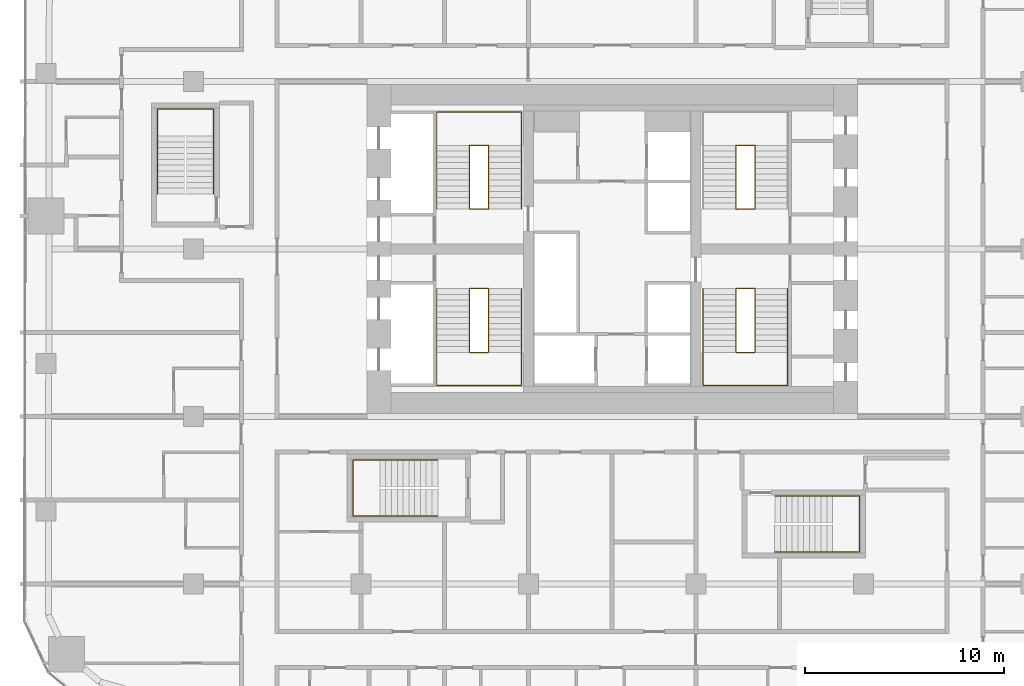
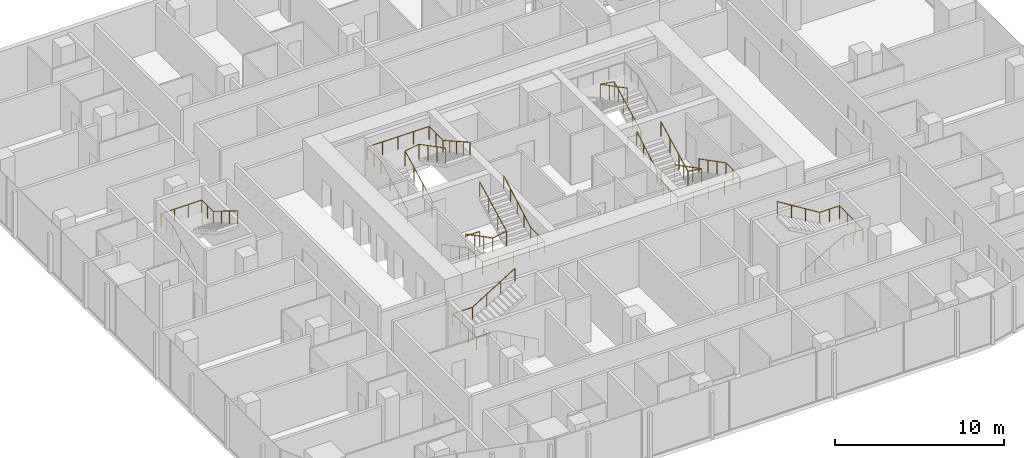
# One storey, part 25 of 26: 10 railings.
"""IFC4 building model written with IfcOpenShell, lengths in metres."""

from ifc_helpers import new_model, si_unit, direction, frame, origin, origin_2d, place, context, subcontext, project, spatial, circle, extrude, material, type_object, element, save


model = new_model("IFC4")

# Units and contexts
model_context = context("Model", 3, precision=1e-05, world=origin(), true_north=direction((0.0, 1.0)))
body_context = subcontext(model_context, "Body", "Model", "MODEL_VIEW")
ifc_project = project(units=[si_unit("LENGTHUNIT", "METRE"), si_unit("AREAUNIT", "SQUARE_METRE"), si_unit("VOLUMEUNIT", "CUBIC_METRE"), si_unit("PLANEANGLEUNIT", "RADIAN"), si_unit("MASSUNIT", "GRAM", prefix="KILO")], contexts=[model_context])

# Site, building, storey
site_placement = place(None, origin())
site = spatial("IfcSite", under=ifc_project, at=site_placement, CompositionType="ELEMENT")
building_placement = place(site_placement, origin())
building = spatial("IfcBuilding", under=site, at=building_placement, Name="Marenta Gate Hotel Tower", CompositionType="ELEMENT")
storey_placement = place(building_placement, frame((0.0, 0.0, 58.10009765625)))
storey = spatial("IfcBuildingStorey", under=building, at=storey_placement, Name="L12", CompositionType="ELEMENT", Elevation=58.10009765625)

# Railings
ifc_material_1 = material(Name="Stainless steel", Category="steel")
railing_type_1 = type_object("IfcRailingType", Name="Core stair handrail 950", PredefinedType="HANDRAIL", material=ifc_material_1)
railing_1_placement = place(storey_placement, frame((-8.800048828125, 6.39990234375, 0.14990234375)))
element("IfcRailing", 1, at=railing_1_placement, inside=storey, type_object=railing_type_1, Name="HR-950 L12-KR-ST1-1", PredefinedType="HANDRAIL", context=body_context, shape_type="SweptSolid", body=[
    extrude(circle(Radius=0.02392578125, at=origin_2d()), frame((0.0, 0.0, 0.92578125), z_axis=(0.0, -0.888225295554, 0.459408123936), x_axis=(1.0, 0.0, 0.0)), (0.0, 0.0, 1.0), 3.59130859375),
    extrude(circle(Radius=0.02392578125, at=origin_2d()), frame((0.0, -3.18994140625, 2.57568359375), z_axis=(0.0, -1.0, 0.0), x_axis=(1.0, 0.0, 0.0)), (0.0, 0.0, 1.0), 1.659912109375),
    extrude(circle(Radius=0.02392578125, at=origin_2d()), frame((0.0, -4.849853515625, 2.57568359375), z_axis=(1.0, 0.0, 0.0), x_axis=(0.0, 1.0, 0.0)), (0.0, 0.0, 1.0), 4.25),
    extrude(circle(Radius=0.02392578125, at=origin_2d()), frame((4.25, -4.849853515625, 2.57568359375), z_axis=(0.0, 1.0, 0.0), x_axis=(-1.0, 0.0, 0.0)), (0.0, 0.0, 1.0), 1.659912109375),
    extrude(circle(Radius=0.02392578125, at=origin_2d()), frame((4.25, -3.18994140625, 2.57568359375), z_axis=(0.0, 0.87090897868, 0.491444351738), x_axis=(-1.0, 0.0, 0.0)), (0.0, 0.0, 1.0), 3.662841796875),
    extrude(circle(Radius=0.02099609375, at=origin_2d()), origin(), (0.0, 0.0, 1.0), 0.90185546875),
    extrude(circle(Radius=0.02099609375, at=origin_2d()), frame((0.0, -1.063232421875, 0.550048828125)), (0.0, 0.0, 1.0), 0.90185546875),
    extrude(circle(Radius=0.02099609375, at=origin_2d()), frame((0.0, -2.126708984375, 1.099853515625)), (0.0, 0.0, 1.0), 0.90185546875),
    extrude(circle(Radius=0.02099609375, at=origin_2d()), frame((0.0, -3.18994140625, 1.64990234375)), (0.0, 0.0, 1.0), 0.90185546875),
    extrude(circle(Radius=0.02099609375, at=origin_2d()), frame((0.0, -4.02001953125, 1.64990234375)), (0.0, 0.0, 1.0), 0.90185546875),
    extrude(circle(Radius=0.02099609375, at=origin_2d()), frame((0.0, -4.849853515625, 1.64990234375)), (0.0, 0.0, 1.0), 0.90185546875),
    extrude(circle(Radius=0.02099609375, at=origin_2d()), frame((1.0625, -4.849853515625, 1.64990234375)), (0.0, 0.0, 1.0), 0.90185546875),
    extrude(circle(Radius=0.02099609375, at=origin_2d()), frame((2.125, -4.849853515625, 1.64990234375)), (0.0, 0.0, 1.0), 0.90185546875),
    extrude(circle(Radius=0.02099609375, at=origin_2d()), frame((3.1875, -4.849853515625, 1.64990234375)), (0.0, 0.0, 1.0), 0.90185546875),
    extrude(circle(Radius=0.02099609375, at=origin_2d()), frame((4.25, -4.849853515625, 1.64990234375)), (0.0, 0.0, 1.0), 0.90185546875),
    extrude(circle(Radius=0.02099609375, at=origin_2d()), frame((4.25, -4.02001953125, 1.64990234375)), (0.0, 0.0, 1.0), 0.90185546875),
    extrude(circle(Radius=0.02099609375, at=origin_2d()), frame((4.25, -3.18994140625, 1.64990234375)), (0.0, 0.0, 1.0), 0.90185546875),
    extrude(circle(Radius=0.02099609375, at=origin_2d()), frame((4.25, -2.392578125, 2.099853515625)), (0.0, 0.0, 1.0), 0.90185546875),
    extrude(circle(Radius=0.02099609375, at=origin_2d()), frame((4.25, -1.594970703125, 2.5498046875)), (0.0, 0.0, 1.0), 0.90185546875),
    extrude(circle(Radius=0.02099609375, at=origin_2d()), frame((4.25, -0.79736328125, 3.0)), (0.0, 0.0, 1.0), 0.90185546875),
    extrude(circle(Radius=0.02099609375, at=origin_2d()), frame((4.25, 0.0, 3.449951171875)), (0.0, 0.0, 1.0), 0.90185546875),
])
railing_2_placement = place(storey_placement, frame((-8.800048828125, 10.39990234375, 0.14990234375)))
element("IfcRailing", 2, at=railing_2_placement, inside=storey, type_object=railing_type_1, Name="HR-950 L12-KR-ST2-1", PredefinedType="HANDRAIL", context=body_context, shape_type="SweptSolid", body=[
    extrude(circle(Radius=0.02392578125, at=origin_2d()), frame((0.0, 0.0, 0.92578125), z_axis=(0.0, 0.888239641807, 0.459380385653), x_axis=(-1.0, 0.0, 0.0)), (0.0, 0.0, 1.0), 3.591552734375),
    extrude(circle(Radius=0.02392578125, at=origin_2d()), frame((0.0, 3.190185546875, 2.57568359375), z_axis=(0.0, 1.0, 0.0), x_axis=(-1.0, 0.0, 0.0)), (0.0, 0.0, 1.0), 1.659912109375),
    extrude(circle(Radius=0.02392578125, at=origin_2d()), frame((0.0, 4.85009765625, 2.57568359375), z_axis=(1.0, 0.0, 0.0), x_axis=(0.0, 1.0, 0.0)), (0.0, 0.0, 1.0), 4.25),
    extrude(circle(Radius=0.02392578125, at=origin_2d()), frame((4.25, 4.85009765625, 2.57568359375), z_axis=(0.0, -1.0, 0.0), x_axis=(1.0, 0.0, 0.0)), (0.0, 0.0, 1.0), 1.659912109375),
    extrude(circle(Radius=0.02392578125, at=origin_2d()), frame((4.25, 3.190185546875, 2.57568359375), z_axis=(0.0, -0.870925075533, 0.491415824742), x_axis=(1.0, 0.0, 0.0)), (0.0, 0.0, 1.0), 3.6630859375),
    extrude(circle(Radius=0.02099609375, at=origin_2d()), origin(), (0.0, 0.0, 1.0), 0.90185546875),
    extrude(circle(Radius=0.02099609375, at=origin_2d()), frame((0.0, 1.0634765625, 0.550048828125)), (0.0, 0.0, 1.0), 0.90185546875),
    extrude(circle(Radius=0.02099609375, at=origin_2d()), frame((0.0, 2.126708984375, 1.099853515625)), (0.0, 0.0, 1.0), 0.90185546875),
    extrude(circle(Radius=0.02099609375, at=origin_2d()), frame((0.0, 3.190185546875, 1.64990234375)), (0.0, 0.0, 1.0), 0.90185546875),
    extrude(circle(Radius=0.02099609375, at=origin_2d()), frame((0.0, 4.02001953125, 1.64990234375)), (0.0, 0.0, 1.0), 0.90185546875),
    extrude(circle(Radius=0.02099609375, at=origin_2d()), frame((0.0, 4.85009765625, 1.64990234375)), (0.0, 0.0, 1.0), 0.90185546875),
    extrude(circle(Radius=0.02099609375, at=origin_2d()), frame((1.0625, 4.85009765625, 1.64990234375)), (0.0, 0.0, 1.0), 0.90185546875),
    extrude(circle(Radius=0.02099609375, at=origin_2d()), frame((2.125, 4.85009765625, 1.64990234375)), (0.0, 0.0, 1.0), 0.90185546875),
    extrude(circle(Radius=0.02099609375, at=origin_2d()), frame((3.1875, 4.85009765625, 1.64990234375)), (0.0, 0.0, 1.0), 0.90185546875),
    extrude(circle(Radius=0.02099609375, at=origin_2d()), frame((4.25, 4.85009765625, 1.64990234375)), (0.0, 0.0, 1.0), 0.90185546875),
    extrude(circle(Radius=0.02099609375, at=origin_2d()), frame((4.25, 4.02001953125, 1.64990234375)), (0.0, 0.0, 1.0), 0.90185546875),
    extrude(circle(Radius=0.02099609375, at=origin_2d()), frame((4.25, 3.190185546875, 1.64990234375)), (0.0, 0.0, 1.0), 0.90185546875),
    extrude(circle(Radius=0.02099609375, at=origin_2d()), frame((4.25, 2.392578125, 2.099853515625)), (0.0, 0.0, 1.0), 0.90185546875),
    extrude(circle(Radius=0.02099609375, at=origin_2d()), frame((4.25, 1.59521484375, 2.5498046875)), (0.0, 0.0, 1.0), 0.90185546875),
    extrude(circle(Radius=0.02099609375, at=origin_2d()), frame((4.25, 0.797607421875, 3.0)), (0.0, 0.0, 1.0), 0.90185546875),
    extrude(circle(Radius=0.02099609375, at=origin_2d()), frame((4.25, 0.0, 3.449951171875)), (0.0, 0.0, 1.0), 0.90185546875),
])
railing_3_placement = place(storey_placement, frame((8.800048828125, 6.39990234375, 0.14990234375)))
element("IfcRailing", 3, at=railing_3_placement, inside=storey, type_object=railing_type_1, Name="HR-950 L12-KR-ST3-1", PredefinedType="HANDRAIL", context=body_context, shape_type="SweptSolid", body=[
    extrude(circle(Radius=0.02392578125, at=origin_2d()), frame((0.0, 0.0, 0.92578125), z_axis=(0.0, -0.888225295554, 0.459408123936), x_axis=(1.0, 0.0, 0.0)), (0.0, 0.0, 1.0), 3.59130859375),
    extrude(circle(Radius=0.02392578125, at=origin_2d()), frame((0.0, -3.18994140625, 2.57568359375), z_axis=(0.0, -1.0, 0.0), x_axis=(1.0, 0.0, 0.0)), (0.0, 0.0, 1.0), 1.659912109375),
    extrude(circle(Radius=0.02392578125, at=origin_2d()), frame((0.0, -4.849853515625, 2.57568359375), z_axis=(-1.0, 0.0, 0.0), x_axis=(0.0, -1.0, 0.0)), (0.0, 0.0, 1.0), 4.25),
    extrude(circle(Radius=0.02392578125, at=origin_2d()), frame((-4.25, -4.849853515625, 2.57568359375), z_axis=(0.0, 1.0, 0.0), x_axis=(-1.0, 0.0, 0.0)), (0.0, 0.0, 1.0), 1.659912109375),
    extrude(circle(Radius=0.02392578125, at=origin_2d()), frame((-4.25, -3.18994140625, 2.57568359375), z_axis=(0.0, 0.87090897868, 0.491444351738), x_axis=(-1.0, 0.0, 0.0)), (0.0, 0.0, 1.0), 3.662841796875),
    extrude(circle(Radius=0.02099609375, at=origin_2d()), origin(), (0.0, 0.0, 1.0), 0.90185546875),
    extrude(circle(Radius=0.02099609375, at=origin_2d()), frame((0.0, -1.063232421875, 0.550048828125)), (0.0, 0.0, 1.0), 0.90185546875),
    extrude(circle(Radius=0.02099609375, at=origin_2d()), frame((0.0, -2.126708984375, 1.099853515625)), (0.0, 0.0, 1.0), 0.90185546875),
    extrude(circle(Radius=0.02099609375, at=origin_2d()), frame((0.0, -3.18994140625, 1.64990234375)), (0.0, 0.0, 1.0), 0.90185546875),
    extrude(circle(Radius=0.02099609375, at=origin_2d()), frame((0.0, -4.02001953125, 1.64990234375)), (0.0, 0.0, 1.0), 0.90185546875),
    extrude(circle(Radius=0.02099609375, at=origin_2d()), frame((0.0, -4.849853515625, 1.64990234375)), (0.0, 0.0, 1.0), 0.90185546875),
    extrude(circle(Radius=0.02099609375, at=origin_2d()), frame((-1.0625, -4.849853515625, 1.64990234375)), (0.0, 0.0, 1.0), 0.90185546875),
    extrude(circle(Radius=0.02099609375, at=origin_2d()), frame((-2.125, -4.849853515625, 1.64990234375)), (0.0, 0.0, 1.0), 0.90185546875),
    extrude(circle(Radius=0.02099609375, at=origin_2d()), frame((-3.1875, -4.849853515625, 1.64990234375)), (0.0, 0.0, 1.0), 0.90185546875),
    extrude(circle(Radius=0.02099609375, at=origin_2d()), frame((-4.25, -4.849853515625, 1.64990234375)), (0.0, 0.0, 1.0), 0.90185546875),
    extrude(circle(Radius=0.02099609375, at=origin_2d()), frame((-4.25, -4.02001953125, 1.64990234375)), (0.0, 0.0, 1.0), 0.90185546875),
    extrude(circle(Radius=0.02099609375, at=origin_2d()), frame((-4.25, -3.18994140625, 1.64990234375)), (0.0, 0.0, 1.0), 0.90185546875),
    extrude(circle(Radius=0.02099609375, at=origin_2d()), frame((-4.25, -2.392578125, 2.099853515625)), (0.0, 0.0, 1.0), 0.90185546875),
    extrude(circle(Radius=0.02099609375, at=origin_2d()), frame((-4.25, -1.594970703125, 2.5498046875)), (0.0, 0.0, 1.0), 0.90185546875),
    extrude(circle(Radius=0.02099609375, at=origin_2d()), frame((-4.25, -0.79736328125, 3.0)), (0.0, 0.0, 1.0), 0.90185546875),
    extrude(circle(Radius=0.02099609375, at=origin_2d()), frame((-4.25, 0.0, 3.449951171875)), (0.0, 0.0, 1.0), 0.90185546875),
])
railing_4_placement = place(storey_placement, frame((8.14990234375, -6.800048828125, 0.16357421875)))
element("IfcRailing", 4, at=railing_4_placement, inside=storey, type_object=railing_type_1, Name="HR-950 L12-RS-Z1-1-KR-1", PredefinedType="HANDRAIL", context=body_context, shape_type="SweptSolid", body=[
    extrude(circle(Radius=0.02392578125, at=origin_2d()), frame((0.0, 0.0, 0.92578125), z_axis=(0.870946286338, 0.0, 0.49137823142), x_axis=(0.0, 1.0, 0.0)), (0.0, 0.0, 1.0), 3.329833984375),
    extrude(circle(Radius=0.02392578125, at=origin_2d()), frame((2.900146484375, 0.0, 2.56201171875), z_axis=(1.0, 0.0, 0.0), x_axis=(0.0, 1.0, 0.0)), (0.0, 0.0, 1.0), 1.349853515625),
    extrude(circle(Radius=0.02392578125, at=origin_2d()), frame((4.25, 0.0, 2.56201171875), z_axis=(0.0, 1.0, 0.0), x_axis=(-1.0, 0.0, 0.0)), (0.0, 0.0, 1.0), 2.800048828125),
    extrude(circle(Radius=0.02392578125, at=origin_2d()), frame((4.25, 2.800048828125, 2.56201171875), z_axis=(-1.0, 0.0, 0.0), x_axis=(0.0, -1.0, 0.0)), (0.0, 0.0, 1.0), 1.349853515625),
    extrude(circle(Radius=0.02392578125, at=origin_2d()), frame((2.900146484375, 2.800048828125, 2.56201171875), z_axis=(-0.849645691689, 0.0, 0.527353959494), x_axis=(0.0, -1.0, 0.0)), (0.0, 0.0, 1.0), 3.413330078125),
    extrude(circle(Radius=0.02099609375, at=origin_2d()), origin(), (0.0, 0.0, 1.0), 0.90185546875),
    extrude(circle(Radius=0.02099609375, at=origin_2d()), frame((0.966796875, 0.0, 0.54541015625)), (0.0, 0.0, 1.0), 0.90185546875),
    extrude(circle(Radius=0.02099609375, at=origin_2d()), frame((1.933349609375, 0.0, 1.0908203125)), (0.0, 0.0, 1.0), 0.90185546875),
    extrude(circle(Radius=0.02099609375, at=origin_2d()), frame((2.900146484375, 0.0, 1.63623046875)), (0.0, 0.0, 1.0), 0.90185546875),
    extrude(circle(Radius=0.02099609375, at=origin_2d()), frame((3.5751953125, 0.0, 1.63623046875)), (0.0, 0.0, 1.0), 0.90185546875),
    extrude(circle(Radius=0.02099609375, at=origin_2d()), frame((4.25, 0.0, 1.63623046875)), (0.0, 0.0, 1.0), 0.90185546875),
    extrude(circle(Radius=0.02099609375, at=origin_2d()), frame((4.25, 0.933349609375, 1.63623046875)), (0.0, 0.0, 1.0), 0.90185546875),
    extrude(circle(Radius=0.02099609375, at=origin_2d()), frame((4.25, 1.86669921875, 1.63623046875)), (0.0, 0.0, 1.0), 0.90185546875),
    extrude(circle(Radius=0.02099609375, at=origin_2d()), frame((4.25, 2.800048828125, 1.63623046875)), (0.0, 0.0, 1.0), 0.90185546875),
    extrude(circle(Radius=0.02099609375, at=origin_2d()), frame((3.5751953125, 2.800048828125, 1.63623046875)), (0.0, 0.0, 1.0), 0.90185546875),
    extrude(circle(Radius=0.02099609375, at=origin_2d()), frame((2.900146484375, 2.800048828125, 1.63623046875)), (0.0, 0.0, 1.0), 0.90185546875),
    extrude(circle(Radius=0.02099609375, at=origin_2d()), frame((1.933349609375, 2.800048828125, 2.236328125)), (0.0, 0.0, 1.0), 0.90185546875),
    extrude(circle(Radius=0.02099609375, at=origin_2d()), frame((0.966796875, 2.800048828125, 2.836181640625)), (0.0, 0.0, 1.0), 0.90185546875),
    extrude(circle(Radius=0.02099609375, at=origin_2d()), frame((0.0, 2.800048828125, 3.436279296875)), (0.0, 0.0, 1.0), 0.90185546875),
])
railing_5_placement = place(storey_placement, frame((-8.75, -5.0, 0.16357421875)))
element("IfcRailing", 5, at=railing_5_placement, inside=storey, type_object=railing_type_1, Name="HR-950 L12-RS-Z1-2-KR-1", PredefinedType="HANDRAIL", context=body_context, shape_type="SweptSolid", body=[
    extrude(circle(Radius=0.02392578125, at=origin_2d()), frame((0.0, 0.0, 0.92578125), z_axis=(-0.870928581787, 0.0, 0.491409610636), x_axis=(0.0, -1.0, 0.0)), (0.0, 0.0, 1.0), 3.32958984375),
    extrude(circle(Radius=0.02392578125, at=origin_2d()), frame((-2.89990234375, 0.0, 2.56201171875), z_axis=(-1.0, 0.0, 0.0), x_axis=(0.0, -1.0, 0.0)), (0.0, 0.0, 1.0), 1.35009765625),
    extrude(circle(Radius=0.02392578125, at=origin_2d()), frame((-4.25, 0.0, 2.56201171875), z_axis=(0.0, 1.0, 0.0), x_axis=(-1.0, 0.0, 0.0)), (0.0, 0.0, 1.0), 2.800048828125),
    extrude(circle(Radius=0.02392578125, at=origin_2d()), frame((-4.25, 2.800048828125, 2.56201171875), z_axis=(1.0, 0.0, 0.0), x_axis=(0.0, 1.0, 0.0)), (0.0, 0.0, 1.0), 1.35009765625),
    extrude(circle(Radius=0.02392578125, at=origin_2d()), frame((-2.89990234375, 2.800048828125, 2.56201171875), z_axis=(0.849625798611, 0.0, 0.527386008853), x_axis=(0.0, 1.0, 0.0)), (0.0, 0.0, 1.0), 3.4130859375),
    extrude(circle(Radius=0.02099609375, at=origin_2d()), origin(), (0.0, 0.0, 1.0), 0.90185546875),
    extrude(circle(Radius=0.02099609375, at=origin_2d()), frame((-0.966552734375, 0.0, 0.54541015625)), (0.0, 0.0, 1.0), 0.90185546875),
    extrude(circle(Radius=0.02099609375, at=origin_2d()), frame((-1.933349609375, 0.0, 1.0908203125)), (0.0, 0.0, 1.0), 0.90185546875),
    extrude(circle(Radius=0.02099609375, at=origin_2d()), frame((-2.89990234375, 0.0, 1.63623046875)), (0.0, 0.0, 1.0), 0.90185546875),
    extrude(circle(Radius=0.02099609375, at=origin_2d()), frame((-3.574951171875, 0.0, 1.63623046875)), (0.0, 0.0, 1.0), 0.90185546875),
    extrude(circle(Radius=0.02099609375, at=origin_2d()), frame((-4.25, 0.0, 1.63623046875)), (0.0, 0.0, 1.0), 0.90185546875),
    extrude(circle(Radius=0.02099609375, at=origin_2d()), frame((-4.25, 0.933349609375, 1.63623046875)), (0.0, 0.0, 1.0), 0.90185546875),
    extrude(circle(Radius=0.02099609375, at=origin_2d()), frame((-4.25, 1.86669921875, 1.63623046875)), (0.0, 0.0, 1.0), 0.90185546875),
    extrude(circle(Radius=0.02099609375, at=origin_2d()), frame((-4.25, 2.800048828125, 1.63623046875)), (0.0, 0.0, 1.0), 0.90185546875),
    extrude(circle(Radius=0.02099609375, at=origin_2d()), frame((-3.574951171875, 2.800048828125, 1.63623046875)), (0.0, 0.0, 1.0), 0.90185546875),
    extrude(circle(Radius=0.02099609375, at=origin_2d()), frame((-2.89990234375, 2.800048828125, 1.63623046875)), (0.0, 0.0, 1.0), 0.90185546875),
    extrude(circle(Radius=0.02099609375, at=origin_2d()), frame((-1.933349609375, 2.800048828125, 2.236328125)), (0.0, 0.0, 1.0), 0.90185546875),
    extrude(circle(Radius=0.02099609375, at=origin_2d()), frame((-0.966552734375, 2.800048828125, 2.836181640625)), (0.0, 0.0, 1.0), 0.90185546875),
    extrude(circle(Radius=0.02099609375, at=origin_2d()), frame((0.0, 2.800048828125, 3.436279296875)), (0.0, 0.0, 1.0), 0.90185546875),
])
railing_6_placement = place(storey_placement, frame((-22.800048828125, 11.14990234375, 0.16357421875)))
element("IfcRailing", 6, at=railing_6_placement, inside=storey, type_object=railing_type_1, Name="HR-950 L12-RS-Z1-3-KR-1", PredefinedType="HANDRAIL", context=body_context, shape_type="SweptSolid", body=[
    extrude(circle(Radius=0.02392578125, at=origin_2d()), frame((0.0, 0.0, 0.92578125), z_axis=(0.0, 0.870946286338, 0.49137823142), x_axis=(-1.0, 0.0, 0.0)), (0.0, 0.0, 1.0), 3.329833984375),
    extrude(circle(Radius=0.02392578125, at=origin_2d()), frame((0.0, 2.900146484375, 2.56201171875), z_axis=(0.0, 1.0, 0.0), x_axis=(-1.0, 0.0, 0.0)), (0.0, 0.0, 1.0), 1.349853515625),
    extrude(circle(Radius=0.02392578125, at=origin_2d()), frame((0.0, 4.25, 2.56201171875), z_axis=(1.0, 0.0, 0.0), x_axis=(0.0, 1.0, 0.0)), (0.0, 0.0, 1.0), 2.800048828125),
    extrude(circle(Radius=0.02392578125, at=origin_2d()), frame((2.800048828125, 4.25, 2.56201171875), z_axis=(0.0, -1.0, 0.0), x_axis=(1.0, 0.0, 0.0)), (0.0, 0.0, 1.0), 1.349853515625),
    extrude(circle(Radius=0.02392578125, at=origin_2d()), frame((2.800048828125, 2.900146484375, 2.56201171875), z_axis=(0.0, -0.849645691689, 0.527353959494), x_axis=(1.0, 0.0, 0.0)), (0.0, 0.0, 1.0), 3.413330078125),
    extrude(circle(Radius=0.02099609375, at=origin_2d()), origin(), (0.0, 0.0, 1.0), 0.90185546875),
    extrude(circle(Radius=0.02099609375, at=origin_2d()), frame((0.0, 0.966796875, 0.54541015625)), (0.0, 0.0, 1.0), 0.90185546875),
    extrude(circle(Radius=0.02099609375, at=origin_2d()), frame((0.0, 1.933349609375, 1.0908203125)), (0.0, 0.0, 1.0), 0.90185546875),
    extrude(circle(Radius=0.02099609375, at=origin_2d()), frame((0.0, 2.900146484375, 1.63623046875)), (0.0, 0.0, 1.0), 0.90185546875),
    extrude(circle(Radius=0.02099609375, at=origin_2d()), frame((0.0, 3.5751953125, 1.63623046875)), (0.0, 0.0, 1.0), 0.90185546875),
    extrude(circle(Radius=0.02099609375, at=origin_2d()), frame((0.0, 4.25, 1.63623046875)), (0.0, 0.0, 1.0), 0.90185546875),
    extrude(circle(Radius=0.02099609375, at=origin_2d()), frame((0.933349609375, 4.25, 1.63623046875)), (0.0, 0.0, 1.0), 0.90185546875),
    extrude(circle(Radius=0.02099609375, at=origin_2d()), frame((1.86669921875, 4.25, 1.63623046875)), (0.0, 0.0, 1.0), 0.90185546875),
    extrude(circle(Radius=0.02099609375, at=origin_2d()), frame((2.800048828125, 4.25, 1.63623046875)), (0.0, 0.0, 1.0), 0.90185546875),
    extrude(circle(Radius=0.02099609375, at=origin_2d()), frame((2.800048828125, 3.5751953125, 1.63623046875)), (0.0, 0.0, 1.0), 0.90185546875),
    extrude(circle(Radius=0.02099609375, at=origin_2d()), frame((2.800048828125, 2.900146484375, 1.63623046875)), (0.0, 0.0, 1.0), 0.90185546875),
    extrude(circle(Radius=0.02099609375, at=origin_2d()), frame((2.800048828125, 1.933349609375, 2.236328125)), (0.0, 0.0, 1.0), 0.90185546875),
    extrude(circle(Radius=0.02099609375, at=origin_2d()), frame((2.800048828125, 0.966796875, 2.836181640625)), (0.0, 0.0, 1.0), 0.90185546875),
    extrude(circle(Radius=0.02099609375, at=origin_2d()), frame((2.800048828125, 0.0, 3.436279296875)), (0.0, 0.0, 1.0), 0.90185546875),
])
ifc_material_2 = material(Name="Stainless steel", Category="steel")
railing_type_2 = type_object("IfcRailingType", Name="Core stair well guard 1100", PredefinedType="GUARDRAIL", material=ifc_material_2)
railing_7_placement = place(storey_placement, frame((-6.199951171875, 6.39990234375, 0.0)))
element("IfcRailing", 7, at=railing_7_placement, inside=storey, type_object=railing_type_2, Name="GR-1100 L12-KR-ST1-2", PredefinedType="GUARDRAIL", context=body_context, shape_type="SweptSolid", body=[
    extrude(circle(Radius=0.02392578125, at=origin_2d()), frame((0.0, 0.0, 1.076171875), z_axis=(-1.0, 0.0, 0.0), x_axis=(0.0, -1.0, 0.0)), (0.0, 0.0, 1.0), 0.949951171875),
    extrude(circle(Radius=0.02392578125, at=origin_2d()), frame((-0.949951171875, 0.0, 1.076171875), z_axis=(0.0, 0.0, 1.0), x_axis=(1.0, 0.0, 0.0)), (0.0, 0.0, 1.0), 0.14990234375),
    extrude(circle(Radius=0.02392578125, at=origin_2d()), frame((-0.949951171875, 0.0, 1.22607421875), z_axis=(0.0, -0.888225295554, 0.459408123936), x_axis=(1.0, 0.0, 0.0)), (0.0, 0.0, 1.0), 3.59130859375),
    extrude(circle(Radius=0.02392578125, at=origin_2d()), frame((-0.949951171875, -3.18994140625, 2.8759765625), z_axis=(0.987738253826, 0.0, 0.156118999255), x_axis=(0.0, 1.0, 0.0)), (0.0, 0.0, 1.0), 0.961669921875),
    extrude(circle(Radius=0.02392578125, at=origin_2d()), frame((0.0, -3.18994140625, 3.02587890625), z_axis=(0.0, 0.888225295554, 0.459408123936), x_axis=(-1.0, 0.0, 0.0)), (0.0, 0.0, 1.0), 3.59130859375),
    extrude(circle(Radius=0.02099609375, at=origin_2d()), origin(), (0.0, 0.0, 1.0), 1.052001953125),
    extrude(circle(Radius=0.02099609375, at=origin_2d()), frame((-0.949951171875, 0.0, 0.0)), (0.0, 0.0, 1.0), 1.052001953125),
    extrude(circle(Radius=0.02099609375, at=origin_2d()), frame((-0.949951171875, 0.0, 0.14990234375)), (0.0, 0.0, 1.0), 1.052001953125),
    extrude(circle(Radius=0.02099609375, at=origin_2d()), frame((-0.949951171875, -1.063232421875, 0.699951171875)), (0.0, 0.0, 1.0), 1.052001953125),
    extrude(circle(Radius=0.02099609375, at=origin_2d()), frame((-0.949951171875, -2.126708984375, 1.249755859375)), (0.0, 0.0, 1.0), 1.052001953125),
    extrude(circle(Radius=0.02099609375, at=origin_2d()), frame((-0.949951171875, -3.18994140625, 1.7998046875)), (0.0, 0.0, 1.0), 1.052001953125),
    extrude(circle(Radius=0.02099609375, at=origin_2d()), frame((0.0, -3.18994140625, 1.949951171875)), (0.0, 0.0, 1.0), 1.052001953125),
    extrude(circle(Radius=0.02099609375, at=origin_2d()), frame((0.0, -2.126708984375, 2.5)), (0.0, 0.0, 1.0), 1.052001953125),
    extrude(circle(Radius=0.02099609375, at=origin_2d()), frame((0.0, -1.063232421875, 3.0498046875)), (0.0, 0.0, 1.0), 1.052001953125),
    extrude(circle(Radius=0.02099609375, at=origin_2d()), frame((0.0, 0.0, 3.599853515625)), (0.0, 0.0, 1.0), 1.052001953125),
])
railing_8_placement = place(storey_placement, frame((-6.199951171875, 10.39990234375, 0.0)))
element("IfcRailing", 8, at=railing_8_placement, inside=storey, type_object=railing_type_2, Name="GR-1100 L12-KR-ST2-2", PredefinedType="GUARDRAIL", context=body_context, shape_type="SweptSolid", body=[
    extrude(circle(Radius=0.02392578125, at=origin_2d()), frame((0.0, 0.0, 1.076171875), z_axis=(-1.0, 0.0, 0.0), x_axis=(0.0, -1.0, 0.0)), (0.0, 0.0, 1.0), 0.949951171875),
    extrude(circle(Radius=0.02392578125, at=origin_2d()), frame((-0.949951171875, 0.0, 1.076171875), z_axis=(0.0, 0.0, 1.0), x_axis=(1.0, 0.0, 0.0)), (0.0, 0.0, 1.0), 0.14990234375),
    extrude(circle(Radius=0.02392578125, at=origin_2d()), frame((-0.949951171875, 0.0, 1.22607421875), z_axis=(0.0, 0.888239641807, 0.459380385653), x_axis=(-1.0, 0.0, 0.0)), (0.0, 0.0, 1.0), 3.591552734375),
    extrude(circle(Radius=0.02392578125, at=origin_2d()), frame((-0.949951171875, 3.190185546875, 2.8759765625), z_axis=(0.987738253826, 0.0, 0.156118999255), x_axis=(0.0, 1.0, 0.0)), (0.0, 0.0, 1.0), 0.961669921875),
    extrude(circle(Radius=0.02392578125, at=origin_2d()), frame((0.0, 3.190185546875, 3.02587890625), z_axis=(0.0, -0.888239641807, 0.459380385653), x_axis=(1.0, 0.0, 0.0)), (0.0, 0.0, 1.0), 3.591552734375),
    extrude(circle(Radius=0.02099609375, at=origin_2d()), origin(), (0.0, 0.0, 1.0), 1.052001953125),
    extrude(circle(Radius=0.02099609375, at=origin_2d()), frame((-0.949951171875, 0.0, 0.0)), (0.0, 0.0, 1.0), 1.052001953125),
    extrude(circle(Radius=0.02099609375, at=origin_2d()), frame((-0.949951171875, 0.0, 0.14990234375)), (0.0, 0.0, 1.0), 1.052001953125),
    extrude(circle(Radius=0.02099609375, at=origin_2d()), frame((-0.949951171875, 1.0634765625, 0.699951171875)), (0.0, 0.0, 1.0), 1.052001953125),
    extrude(circle(Radius=0.02099609375, at=origin_2d()), frame((-0.949951171875, 2.126708984375, 1.249755859375)), (0.0, 0.0, 1.0), 1.052001953125),
    extrude(circle(Radius=0.02099609375, at=origin_2d()), frame((-0.949951171875, 3.190185546875, 1.7998046875)), (0.0, 0.0, 1.0), 1.052001953125),
    extrude(circle(Radius=0.02099609375, at=origin_2d()), frame((0.0, 3.190185546875, 1.949951171875)), (0.0, 0.0, 1.0), 1.052001953125),
    extrude(circle(Radius=0.02099609375, at=origin_2d()), frame((0.0, 2.126708984375, 2.5)), (0.0, 0.0, 1.0), 1.052001953125),
    extrude(circle(Radius=0.02099609375, at=origin_2d()), frame((0.0, 1.0634765625, 3.0498046875)), (0.0, 0.0, 1.0), 1.052001953125),
    extrude(circle(Radius=0.02099609375, at=origin_2d()), frame((0.0, 0.0, 3.599853515625)), (0.0, 0.0, 1.0), 1.052001953125),
])
railing_9_placement = place(storey_placement, frame((6.199951171875, 6.39990234375, 0.0)))
element("IfcRailing", 9, at=railing_9_placement, inside=storey, type_object=railing_type_2, Name="GR-1100 L12-KR-ST3-2", PredefinedType="GUARDRAIL", context=body_context, shape_type="SweptSolid", body=[
    extrude(circle(Radius=0.02392578125, at=origin_2d()), frame((0.0, 0.0, 1.076171875), z_axis=(1.0, 0.0, 0.0), x_axis=(0.0, 1.0, 0.0)), (0.0, 0.0, 1.0), 0.949951171875),
    extrude(circle(Radius=0.02392578125, at=origin_2d()), frame((0.949951171875, 0.0, 1.076171875), z_axis=(0.0, 0.0, 1.0), x_axis=(1.0, 0.0, 0.0)), (0.0, 0.0, 1.0), 0.14990234375),
    extrude(circle(Radius=0.02392578125, at=origin_2d()), frame((0.949951171875, 0.0, 1.22607421875), z_axis=(0.0, -0.888225295554, 0.459408123936), x_axis=(1.0, 0.0, 0.0)), (0.0, 0.0, 1.0), 3.59130859375),
    extrude(circle(Radius=0.02392578125, at=origin_2d()), frame((0.949951171875, -3.18994140625, 2.8759765625), z_axis=(-0.987738253826, 0.0, 0.156118999255), x_axis=(0.0, -1.0, 0.0)), (0.0, 0.0, 1.0), 0.961669921875),
    extrude(circle(Radius=0.02392578125, at=origin_2d()), frame((0.0, -3.18994140625, 3.02587890625), z_axis=(0.0, 0.888225295554, 0.459408123936), x_axis=(-1.0, 0.0, 0.0)), (0.0, 0.0, 1.0), 3.59130859375),
    extrude(circle(Radius=0.02099609375, at=origin_2d()), origin(), (0.0, 0.0, 1.0), 1.052001953125),
    extrude(circle(Radius=0.02099609375, at=origin_2d()), frame((0.949951171875, 0.0, 0.0)), (0.0, 0.0, 1.0), 1.052001953125),
    extrude(circle(Radius=0.02099609375, at=origin_2d()), frame((0.949951171875, 0.0, 0.14990234375)), (0.0, 0.0, 1.0), 1.052001953125),
    extrude(circle(Radius=0.02099609375, at=origin_2d()), frame((0.949951171875, -1.063232421875, 0.699951171875)), (0.0, 0.0, 1.0), 1.052001953125),
    extrude(circle(Radius=0.02099609375, at=origin_2d()), frame((0.949951171875, -2.126708984375, 1.249755859375)), (0.0, 0.0, 1.0), 1.052001953125),
    extrude(circle(Radius=0.02099609375, at=origin_2d()), frame((0.949951171875, -3.18994140625, 1.7998046875)), (0.0, 0.0, 1.0), 1.052001953125),
    extrude(circle(Radius=0.02099609375, at=origin_2d()), frame((0.0, -3.18994140625, 1.949951171875)), (0.0, 0.0, 1.0), 1.052001953125),
    extrude(circle(Radius=0.02099609375, at=origin_2d()), frame((0.0, -2.126708984375, 2.5)), (0.0, 0.0, 1.0), 1.052001953125),
    extrude(circle(Radius=0.02099609375, at=origin_2d()), frame((0.0, -1.063232421875, 3.0498046875)), (0.0, 0.0, 1.0), 1.052001953125),
    extrude(circle(Radius=0.02099609375, at=origin_2d()), frame((0.0, 0.0, 3.599853515625)), (0.0, 0.0, 1.0), 1.052001953125),
])
railing_10_placement = place(storey_placement, frame((6.199951171875, 10.39990234375, 0.0)))
element("IfcRailing", 10, at=railing_10_placement, inside=storey, type_object=railing_type_2, Name="GR-1100 L12-KR-ST4-2", PredefinedType="GUARDRAIL", context=body_context, shape_type="SweptSolid", body=[
    extrude(circle(Radius=0.02392578125, at=origin_2d()), frame((0.0, 0.0, 1.076171875), z_axis=(1.0, 0.0, 0.0), x_axis=(0.0, 1.0, 0.0)), (0.0, 0.0, 1.0), 0.949951171875),
    extrude(circle(Radius=0.02392578125, at=origin_2d()), frame((0.949951171875, 0.0, 1.076171875), z_axis=(0.0, 0.0, 1.0), x_axis=(1.0, 0.0, 0.0)), (0.0, 0.0, 1.0), 0.14990234375),
    extrude(circle(Radius=0.02392578125, at=origin_2d()), frame((0.949951171875, 0.0, 1.22607421875), z_axis=(0.0, 0.888239641807, 0.459380385653), x_axis=(-1.0, 0.0, 0.0)), (0.0, 0.0, 1.0), 3.591552734375),
    extrude(circle(Radius=0.02392578125, at=origin_2d()), frame((0.949951171875, 3.190185546875, 2.8759765625), z_axis=(-0.987738253826, 0.0, 0.156118999255), x_axis=(0.0, -1.0, 0.0)), (0.0, 0.0, 1.0), 0.961669921875),
    extrude(circle(Radius=0.02392578125, at=origin_2d()), frame((0.0, 3.190185546875, 3.02587890625), z_axis=(0.0, -0.888239641807, 0.459380385653), x_axis=(1.0, 0.0, 0.0)), (0.0, 0.0, 1.0), 3.591552734375),
    extrude(circle(Radius=0.02099609375, at=origin_2d()), origin(), (0.0, 0.0, 1.0), 1.052001953125),
    extrude(circle(Radius=0.02099609375, at=origin_2d()), frame((0.949951171875, 0.0, 0.0)), (0.0, 0.0, 1.0), 1.052001953125),
    extrude(circle(Radius=0.02099609375, at=origin_2d()), frame((0.949951171875, 0.0, 0.14990234375)), (0.0, 0.0, 1.0), 1.052001953125),
    extrude(circle(Radius=0.02099609375, at=origin_2d()), frame((0.949951171875, 1.0634765625, 0.699951171875)), (0.0, 0.0, 1.0), 1.052001953125),
    extrude(circle(Radius=0.02099609375, at=origin_2d()), frame((0.949951171875, 2.126708984375, 1.249755859375)), (0.0, 0.0, 1.0), 1.052001953125),
    extrude(circle(Radius=0.02099609375, at=origin_2d()), frame((0.949951171875, 3.190185546875, 1.7998046875)), (0.0, 0.0, 1.0), 1.052001953125),
    extrude(circle(Radius=0.02099609375, at=origin_2d()), frame((0.0, 3.190185546875, 1.949951171875)), (0.0, 0.0, 1.0), 1.052001953125),
    extrude(circle(Radius=0.02099609375, at=origin_2d()), frame((0.0, 2.126708984375, 2.5)), (0.0, 0.0, 1.0), 1.052001953125),
    extrude(circle(Radius=0.02099609375, at=origin_2d()), frame((0.0, 1.0634765625, 3.0498046875)), (0.0, 0.0, 1.0), 1.052001953125),
    extrude(circle(Radius=0.02099609375, at=origin_2d()), frame((0.0, 0.0, 3.599853515625)), (0.0, 0.0, 1.0), 1.052001953125),
])

save(model, "model.ifc")
